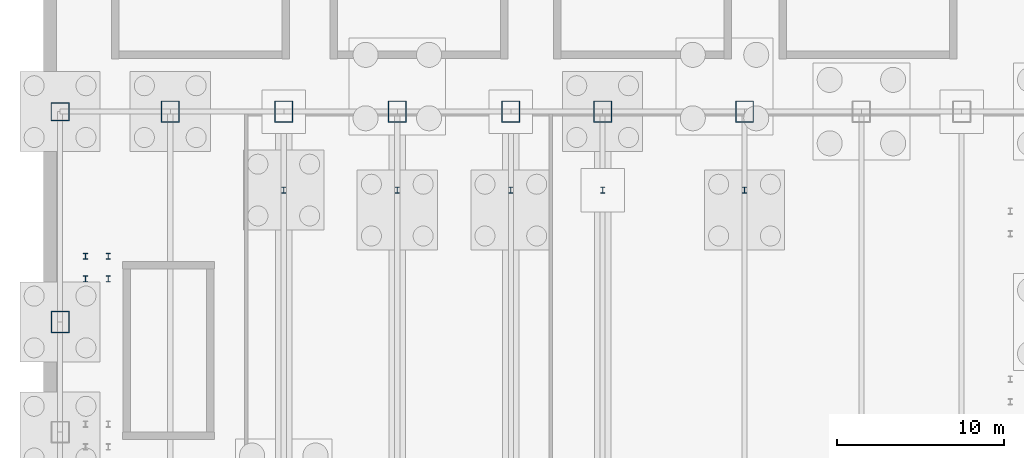
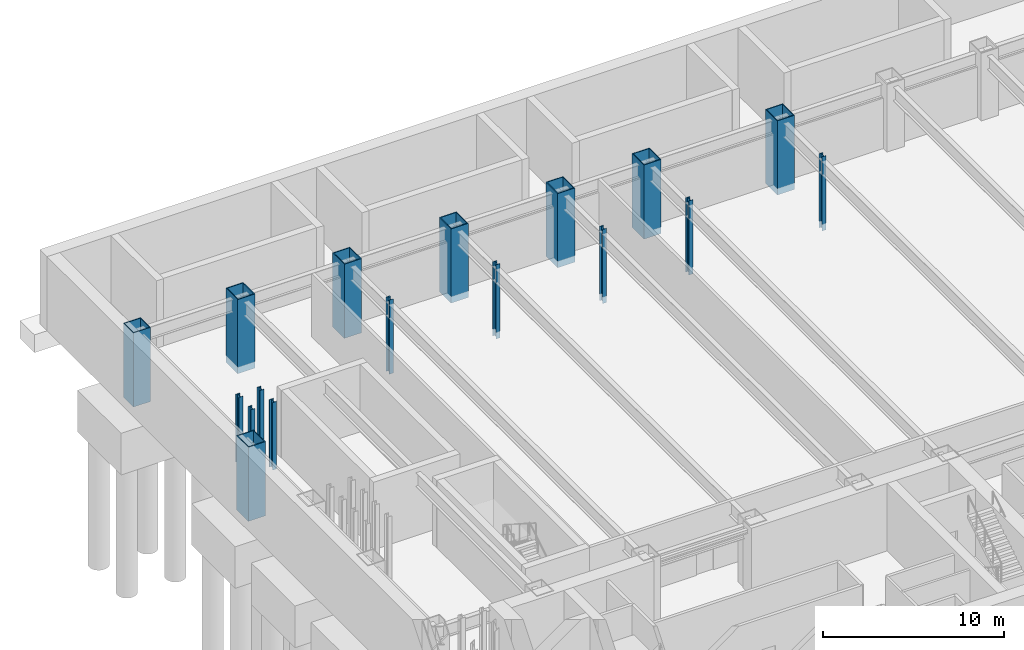
# One storey, part 5 of 17: 17 columns.
"""IFC4 building model written with IfcOpenShell, lengths in metres."""

import ifcopenshell
import ifcopenshell.guid

model = None  # the IFC model being written
_history = None  # IfcOwnerHistory: only IFC2X3 demands one
_inside = {}  # id of a spatial element -> (the spatial element, [elements in it])
_under = {}  # id of a project, library or spatial element -> (it, [spatial elements below it])
_declared = {}  # id of a project -> (the project, [libraries it declares])
_typed = {}  # id of a type object -> (the type object, [elements of that type])
_made_of = {}  # id of a material, layer set ... -> (it, [elements and type objects made of it])


def new_model(schema):
    """Start an empty IFC model of exactly this schema.

    Asked for "IFC4X3", IfcOpenShell would pick the latest addendum, in which some entities
    have other attributes; the version numbers below select the first issue.
    IFC2X3 requires an IfcOwnerHistory on every rooted entity: one is made here for all.
    """
    global model, _history
    if schema == "IFC4X3":
        model = ifcopenshell.file(schema_version=(4, 3, 0, 0))
    else:
        model = ifcopenshell.file(schema=schema)
    _inside.clear()
    _under.clear()
    _declared.clear()
    _typed.clear()
    _made_of.clear()
    _history = None
    if model.schema == "IFC2X3":
        org = make("IfcOrganization", Name="unknown")
        user = make(
            "IfcPersonAndOrganization",
            ThePerson=make("IfcPerson", FamilyName="unknown"),
            TheOrganization=org,
        )
        app = make(
            "IfcApplication",
            ApplicationDeveloper=org,
            Version="unknown",
            ApplicationFullName="unknown",
            ApplicationIdentifier="unknown",
        )
        _history = make(
            "IfcOwnerHistory",
            OwningUser=user,
            OwningApplication=app,
            ChangeAction="ADDED",
            CreationDate=0,
        )
    return model


def make(cls, **values):
    """One entity of the class cls with the attributes given. An attribute that is None is left unset."""
    return model.create_entity(
        cls, **{name: value for name, value in values.items() if value is not None}
    )


def rooted(cls, **values):
    """An entity with a GlobalId (a new one), such as an element, a storey or a relation."""
    return make(cls, GlobalId=ifcopenshell.guid.new(), OwnerHistory=_history, **values)


def si_unit(unit_type, name, prefix=None):
    """IfcSIUnit, for example si_unit("LENGTHUNIT", "METRE", prefix="MILLI")."""
    return make("IfcSIUnit", UnitType=unit_type, Prefix=prefix, Name=name)


def derived_unit(unit_type, elements):
    """IfcDerivedUnit: a product of units, each with its exponent."""
    return make(
        "IfcDerivedUnit",
        Elements=[
            make("IfcDerivedUnitElement", Unit=unit, Exponent=power)
            for unit, power in elements
        ],
        UnitType=unit_type,
    )


def assignment(units):
    """IfcUnitAssignment: the units of a project."""
    return None if units is None else make("IfcUnitAssignment", Units=units)


def point(xyz):
    """IfcCartesianPoint."""
    return None if xyz is None else make("IfcCartesianPoint", Coordinates=xyz)


def direction(xyz):
    """IfcDirection."""
    return None if xyz is None else make("IfcDirection", DirectionRatios=xyz)


def frame(location, z_axis=None, x_axis=None):
    """IfcAxis2Placement3D, a coordinate frame: its origin and axes. An axis left out is left unset."""
    return make(
        "IfcAxis2Placement3D",
        Location=point(location),
        Axis=direction(z_axis),
        RefDirection=direction(x_axis),
    )


def frame_2d(location, x_axis=None):
    """IfcAxis2Placement2D, a coordinate frame in the plane: its origin and x axis."""
    return make(
        "IfcAxis2Placement2D", Location=point(location), RefDirection=direction(x_axis)
    )


def origin():
    """The frame at (0, 0, 0) with its axes left unset."""
    return frame((0.0, 0.0, 0.0))


def origin_2d():
    """The frame at (0, 0) in the plane with its x axis left unset."""
    return frame_2d((0.0, 0.0))


def place(relative_to, where):
    """IfcLocalPlacement: puts the frame where relative to a parent placement (None: the world)."""
    return make(
        "IfcLocalPlacement", PlacementRelTo=relative_to, RelativePlacement=where
    )


def context(
    kind, dimensions, precision=None, world=None, true_north=None, identifier=None
):
    """IfcGeometricRepresentationContext, for example the 3D "Model" context."""
    return make(
        "IfcGeometricRepresentationContext",
        ContextIdentifier=identifier,
        ContextType=kind,
        CoordinateSpaceDimension=dimensions,
        Precision=precision,
        WorldCoordinateSystem=world,
        TrueNorth=true_north,
    )


def subcontext(parent, identifier, kind, view, scale=None):
    """IfcGeometricRepresentationSubContext, for example "Body" below "Model"."""
    return make(
        "IfcGeometricRepresentationSubContext",
        ContextIdentifier=identifier,
        ContextType=kind,
        ParentContext=parent,
        TargetScale=scale,
        TargetView=view,
    )


def project(units=None, contexts=None):
    """IfcProject with its units and contexts."""
    return rooted(
        "IfcProject",
        Name="project",
        RepresentationContexts=contexts,
        UnitsInContext=assignment(units),
    )


def spatial(cls, under=None, at=None, **own):
    """A site, building, storey or space (cls), placed at a placement, below another one or the project."""
    s = rooted(cls, ObjectPlacement=at, **own)
    if under is not None:
        _under.setdefault(under.id(), (under, []))[1].append(s)
    return s


def profile(cls, at=None, kind="AREA", **sizes):
    """A parametric profile (cls). Its sizes go by their IFC names, for example OverallWidth=200.0."""
    return make(cls, ProfileType=kind, Position=at, **sizes)


def hollow_rectangle(**sizes):
    """IfcRectangleHollowProfileDef."""
    return profile("IfcRectangleHollowProfileDef", **sizes)


def i_section(**sizes):
    """IfcIShapeProfileDef."""
    return profile("IfcIShapeProfileDef", **sizes)


def extrude(swept, where, along, depth):
    """IfcExtrudedAreaSolid: the profile swept, set in the frame where, extruded along a direction by depth."""
    return make(
        "IfcExtrudedAreaSolid",
        SweptArea=swept,
        Position=where,
        ExtrudedDirection=direction(along),
        Depth=depth,
    )


def shape(context_of_items, identifier, shape_type, items):
    """IfcShapeRepresentation: the items that make up one representation, for example the "Body"."""
    return make(
        "IfcShapeRepresentation",
        ContextOfItems=context_of_items,
        RepresentationIdentifier=identifier,
        RepresentationType=shape_type,
        Items=items,
    )


def source(mapping_origin, context_of_items, identifier, shape_type, items):
    """IfcRepresentationMap: a shape defined once, which mapped items show again and again."""
    return make(
        "IfcRepresentationMap",
        MappingOrigin=mapping_origin,
        MappedRepresentation=shape(context_of_items, identifier, shape_type, items),
    )


def transform(
    local_origin,
    x_axis=None,
    y_axis=None,
    z_axis=None,
    scale=None,
    scale2=None,
    scale3=None,
    uniform=True,
):
    """IfcCartesianTransformationOperator3D, or its non-uniform kind. x_axis, y_axis, z_axis: its Axis1, 2, 3."""
    if uniform:
        return make(
            "IfcCartesianTransformationOperator3D",
            Axis1=direction(x_axis),
            Axis2=direction(y_axis),
            LocalOrigin=point(local_origin),
            Scale=scale,
            Axis3=direction(z_axis),
        )
    return make(
        "IfcCartesianTransformationOperator3DnonUniform",
        Axis1=direction(x_axis),
        Axis2=direction(y_axis),
        LocalOrigin=point(local_origin),
        Scale=scale,
        Axis3=direction(z_axis),
        Scale2=scale2,
        Scale3=scale3,
    )


def mapped(mapping_source, mapping_target):
    """IfcMappedItem: shows the shape of a source again, moved by a transform."""
    return make(
        "IfcMappedItem", MappingSource=mapping_source, MappingTarget=mapping_target
    )


def material(Name=None, Category=None):
    """IfcMaterial."""
    return make("IfcMaterial", Name=Name, Category=Category)


def material_profile(
    of_material, cross_section, Name=None, Category=None, Priority=None
):
    """IfcMaterialProfile: a cross section and its material."""
    return make(
        "IfcMaterialProfile",
        Name=Name,
        Material=of_material,
        Profile=cross_section,
        Priority=Priority,
        Category=Category,
    )


def profile_set(profiles, Name=None, composite=None):
    """IfcMaterialProfileSet."""
    return make(
        "IfcMaterialProfileSet",
        Name=Name,
        MaterialProfiles=profiles,
        CompositeProfile=composite,
    )


def made_of(thing, what):
    """Note that an element or type object is made of a material, layer set ...; save() writes the relation."""
    if what is not None:
        _made_of.setdefault(what.id(), (what, []))[1].append(thing)
    return thing


def type_object(cls, material=None, **own):
    """A type object (cls), such as IfcWallType, which elements share."""
    return made_of(rooted(cls, **own), material)


def element(
    cls,
    number,
    at=None,
    inside=None,
    cuts=None,
    type_object=None,
    material=None,
    context=None,
    identifier="Body",
    shape_type=None,
    held_by="IfcProductDefinitionShape",
    body=None,
    shapes=None,
    **own,
):
    """One element of the class cls, such as IfcWall. Its Tag is "e" and its number.

    at: its placement. inside: the storey or other place that contains it. cuts: it is an
    opening in that element (IfcRelVoidsElement). A single representation is given by context,
    identifier, shape_type and body (its items); several are given by shapes. held_by: the class
    of the entity that holds the representations. save() writes the other relations.
    """
    e = rooted(cls, Tag="e%d" % number, ObjectPlacement=at, **own)
    if body is not None:
        shapes = [shape(context, identifier, shape_type, body)]
    if shapes is not None:
        e.Representation = make(held_by, Representations=shapes)
    if inside is not None:
        _inside.setdefault(inside.id(), (inside, []))[1].append(e)
    if cuts is not None:
        rooted(
            "IfcRelVoidsElement", RelatingBuildingElement=cuts, RelatedOpeningElement=e
        )
    if type_object is not None:
        _typed.setdefault(type_object.id(), (type_object, []))[1].append(e)
    return made_of(e, material)


def aggregate(whole, parts):
    """IfcRelAggregates: a whole, such as a stair, and the parts it consists of."""
    return rooted("IfcRelAggregates", RelatingObject=whole, RelatedObjects=parts)


def save(model, path):
    """Write the relations noted so far, then the file.

    IfcRelAggregates (storeys below a building ...), IfcRelContainedInSpatialStructure (elements
    in a storey), IfcRelDefinesByType, IfcRelAssociatesMaterial and IfcRelDeclares: one each for
    every whole, place, type object, material and project.
    """
    for whole, parts in _under.values():
        aggregate(whole, parts)
    for where, things in _inside.values():
        rooted(
            "IfcRelContainedInSpatialStructure",
            RelatedElements=things,
            RelatingStructure=where,
        )
    for kind, things in _typed.values():
        rooted("IfcRelDefinesByType", RelatedObjects=things, RelatingType=kind)
    for what, things in _made_of.values():
        rooted("IfcRelAssociatesMaterial", RelatedObjects=things, RelatingMaterial=what)
    for by, libraries in _declared.values():
        rooted("IfcRelDeclares", RelatingContext=by, RelatedDefinitions=libraries)
    model.write(path)


model = new_model("IFC4")

# Units and contexts
model_context = context("Model", 3, precision=1e-05, world=origin(), true_north=direction((0.0, 1.0)))
body_context = subcontext(model_context, "Body", "Model", "MODEL_VIEW")
ifc_project = project(units=[si_unit("LENGTHUNIT", "METRE"), si_unit("AREAUNIT", "SQUARE_METRE"), si_unit("VOLUMEUNIT", "CUBIC_METRE"), si_unit("PLANEANGLEUNIT", "RADIAN"), si_unit("MASSUNIT", "GRAM", prefix="KILO"), derived_unit("THERMALTRANSMITTANCEUNIT", [(si_unit("POWERUNIT", "WATT"), 1), (si_unit("LENGTHUNIT", "METRE"), -2), (si_unit("THERMODYNAMICTEMPERATUREUNIT", "KELVIN"), -1)])], contexts=[model_context])

# Site, building, storey
site_placement = place(None, origin())
site = spatial("IfcSite", under=ifc_project, at=site_placement, CompositionType="ELEMENT")
building_placement = place(site_placement, origin())
building = spatial("IfcBuilding", under=site, at=building_placement, Name="Skarnbrae Concourse Arena and Tower", CompositionType="ELEMENT")
storey_placement = place(building_placement, frame((0.0, 0.0, -10.0)))
storey = spatial("IfcBuildingStorey", under=building, at=storey_placement, Name="B02", CompositionType="ELEMENT", Elevation=-10.0)

# Columns
ifc_material = material(Name="Steel CSA G40.21 350W", Category="steel")
ifc_material_profile_1 = material_profile(ifc_material, hollow_rectangle(XDim=1.10009765625, YDim=1.10009765625, WallThickness=0.050048828125, at=origin_2d()), Name="BOX1100X1100X50")
ifc_profile_set_1 = profile_set([ifc_material_profile_1], Name="Steel CSA G40.21 350W")
column_type_1 = type_object("IfcColumnType", Name="COL-MEGA-BOX1100", PredefinedType="PILASTER", material=ifc_profile_set_1)
shared_shape_1 = source(origin(), body_context, "Body", "SweptSolid", [
    extrude(hollow_rectangle(XDim=1.10009765625, YDim=1.10009765625, WallThickness=0.050048828125, at=origin_2d()), origin(), (0.0, 0.0, 1.0), 5.0),
])
column_placement = place(storey_placement, frame((1.0, 47.0, 0.0), z_axis=(0.0, 0.0, 1.0), x_axis=(1.0, 0.0, 0.0)))
element("IfcColumn", 1, at=column_placement, inside=storey, type_object=column_type_1, Name="B02 Podium mega-column MC-W6", PredefinedType="PILASTER", context=body_context, shape_type="MappedRepresentation", body=[
    mapped(shared_shape_1, transform((0.0, 0.0, 0.0))),
])
ifc_material_profile_2 = material_profile(ifc_material, hollow_rectangle(XDim=1.10009765625, YDim=1.300048828125, WallThickness=0.054931640625, at=origin_2d()), Name="BOX1300X1100X55")
ifc_profile_set_2 = profile_set([ifc_material_profile_2], Name="Steel CSA G40.21 350W")
column_type_2 = type_object("IfcColumnType", Name="COL-MEGA-BOX1300", PredefinedType="PILASTER", material=ifc_profile_set_2)
shared_shape_2 = source(origin(), body_context, "Body", "SweptSolid", [
    extrude(hollow_rectangle(XDim=1.10009765625, YDim=1.300048828125, WallThickness=0.054931640625, at=origin_2d()), origin(), (0.0, 0.0, 1.0), 5.0),
])
for number, where, z_axis, x_axis, name in (
    (2, (1.0, 34.39990234375, 0.0), (0.0, 0.0, 1.0), (1.0, 0.0, 0.0), "B02 Podium mega-column MC-W4"),
    (3, (7.60009765625, 47.0, 0.0), (0.0, 0.0, 1.0), (1.0, 0.0, 0.0), "B02 Podium mega-column MC-N2"),
    (4, (14.39990234375, 47.0, 0.0), (0.0, 0.0, 1.0), (1.0, 0.0, 0.0), "B02 Podium mega-column MC-N3"),
    (5, (21.199951171875, 47.0, 0.0), (0.0, 0.0, 1.0), (1.0, 0.0, 0.0), "B02 Podium mega-column MC-N4"),
    (6, (28.0, 47.0, 0.0), (0.0, 0.0, 1.0), (1.0, 0.0, 0.0), "B02 Podium mega-column MC-N5"),
    (7, (33.5, 47.0, 0.0), (0.0, 0.0, 1.0), (1.0, 0.0, 0.0), "B02 Podium mega-column MC-N6"),
    (8, (42.0, 47.0, 0.0), (0.0, 0.0, 1.0), (1.0, 0.0, 0.0), "B02 Podium mega-column MC-N7"),
):
    element("IfcColumn", number, at=place(storey_placement, frame(where, z_axis=z_axis, x_axis=x_axis)), inside=storey, type_object=column_type_2, Name=name, PredefinedType="PILASTER", context=body_context, shape_type="MappedRepresentation", body=[
        mapped(shared_shape_2, transform((0.0, 0.0, 0.0))),
    ])
ifc_material_profile_3 = material_profile(ifc_material, i_section(OverallWidth=0.257080078125, OverallDepth=0.363037109375, WebThickness=0.012939453125, FlangeThickness=0.021728515625, at=origin_2d()), Name="W360X122")
ifc_profile_set_3 = profile_set([ifc_material_profile_3], Name="Steel CSA G40.21 350W")
column_type_3 = type_object("IfcColumnType", Name="COL-POD-W360X122", PredefinedType="COLUMN", material=ifc_profile_set_3)
shared_shape_3 = source(origin(), body_context, "Body", "SweptSolid", [
    extrude(i_section(OverallWidth=0.257080078125, OverallDepth=0.363037109375, WebThickness=0.012939453125, FlangeThickness=0.021728515625, at=origin_2d()), origin(), (0.0, 0.0, 1.0), 5.0),
])
for number, where, z_axis, x_axis, name in (
    (9, (14.39990234375, 42.300048828125, 0.0), (0.0, 0.0, 1.0), (1.0, 0.0, 0.0), "B02 Arena seating stand toe column X14"),
    (10, (21.199951171875, 42.300048828125, 0.0), (0.0, 0.0, 1.0), (1.0, 0.0, 0.0), "B02 Arena seating stand toe column X21"),
    (11, (28.0, 42.300048828125, 0.0), (0.0, 0.0, 1.0), (1.0, 0.0, 0.0), "B02 Arena seating stand toe column X28"),
    (12, (33.5, 42.300048828125, 0.0), (0.0, 0.0, 1.0), (1.0, 0.0, 0.0), "B02 Arena seating stand toe column X33"),
    (13, (42.0, 42.300048828125, 0.0), (0.0, 0.0, 1.0), (1.0, 0.0, 0.0), "B02 Arena seating stand toe column X42"),
):
    element("IfcColumn", number, at=place(storey_placement, frame(where, z_axis=z_axis, x_axis=x_axis)), inside=storey, type_object=column_type_3, Name=name, PredefinedType="COLUMN", context=body_context, shape_type="MappedRepresentation", body=[
        mapped(shared_shape_3, transform((0.0, 0.0, 0.0))),
    ])
shared_shape_4 = source(origin(), body_context, "Body", "SweptSolid", [
    extrude(i_section(OverallWidth=0.257080078125, OverallDepth=0.363037109375, WebThickness=0.012939453125, FlangeThickness=0.021728515625, at=origin_2d()), origin(), (0.0, 0.0, 1.0), 4.550048828125),
])
for number, where, z_axis, x_axis, name in (
    (14, (2.52001953125, 36.97998046875, 0.449951171875), (0.0, 0.0, 1.0), (1.0, 0.0, 0.0), "B02 Concourse stair ST-CONC-2-L01 TOP post 11"),
    (15, (2.52001953125, 38.340087890625, 0.449951171875), (0.0, 0.0, 1.0), (1.0, 0.0, 0.0), "B02 Concourse stair ST-CONC-2-L01 TOP post 12"),
    (16, (3.8798828125, 36.97998046875, 0.449951171875), (0.0, 0.0, 1.0), (1.0, 0.0, 0.0), "B02 Concourse stair ST-CONC-2-L01 TOP post 21"),
    (17, (3.8798828125, 38.340087890625, 0.449951171875), (0.0, 0.0, 1.0), (1.0, 0.0, 0.0), "B02 Concourse stair ST-CONC-2-L01 TOP post 22"),
):
    element("IfcColumn", number, at=place(storey_placement, frame(where, z_axis=z_axis, x_axis=x_axis)), inside=storey, type_object=column_type_3, Name=name, PredefinedType="COLUMN", context=body_context, shape_type="MappedRepresentation", body=[
        mapped(shared_shape_4, transform((0.0, 0.0, 0.0))),
    ])

save(model, "model.ifc")
